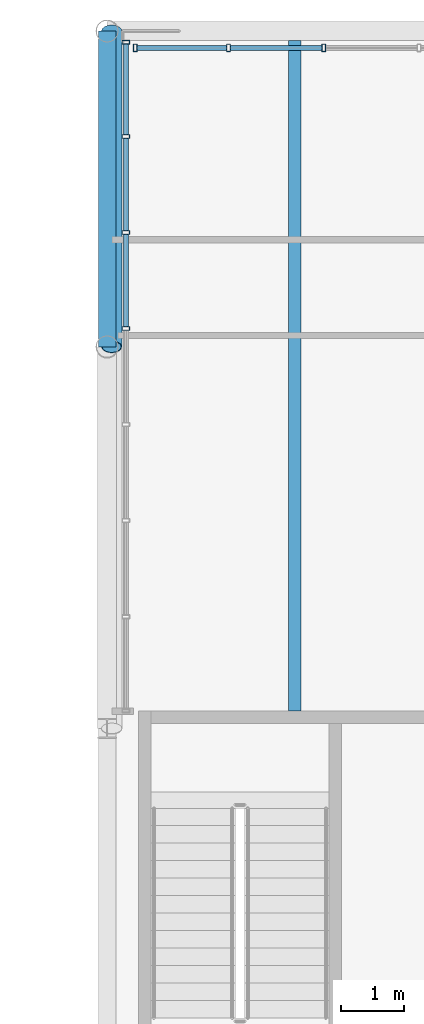
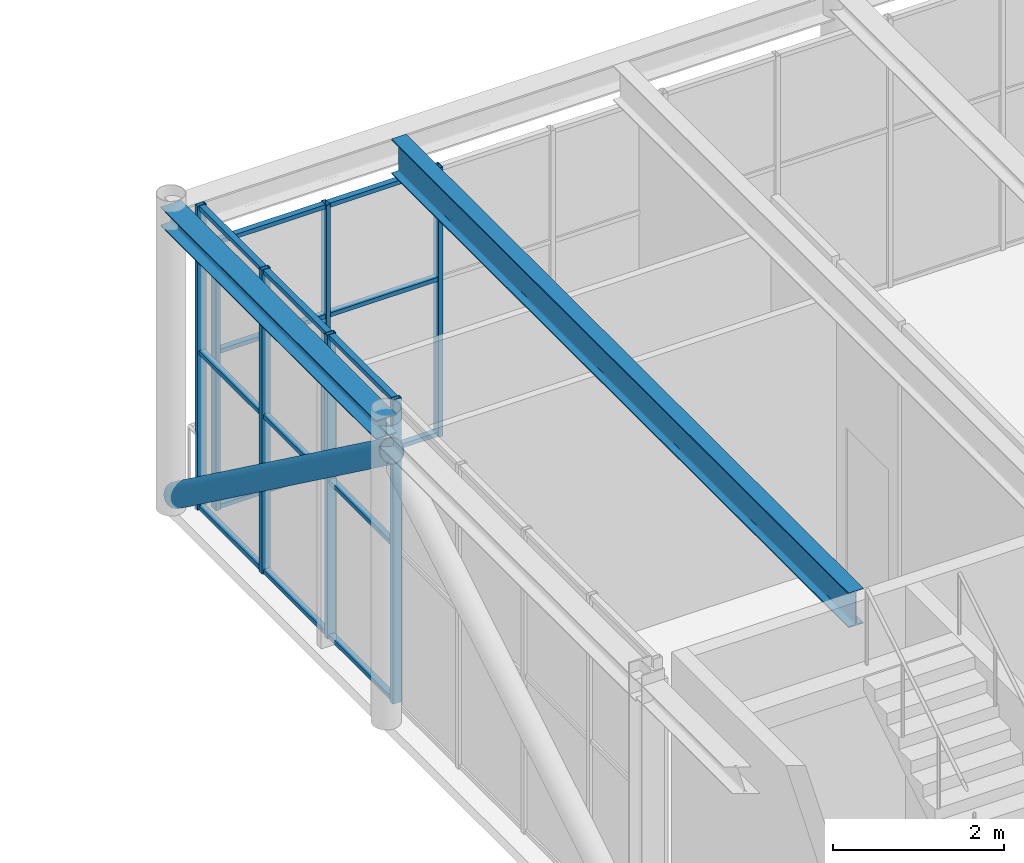
# One storey, part 31 of 111: 23 members, 2 beams, 2 elements without a shape of their own.
"""IFC4 building model written with IfcOpenShell, lengths in metres."""

from ifc_helpers import new_model, si_unit, direction, frame, origin, origin_2d, place, context, subcontext, project, spatial, hollow_rectangle, hollow_circle, i_section, extrude, material, layer, layer_set, material_profile, profile_set, type_object, element, aggregate, save


model = new_model("IFC4")

# Units and contexts
model_context = context("Model", 3, precision=1e-05, world=origin(), true_north=direction((0.0, 1.0)))
body_context = subcontext(model_context, "Body", "Model", "MODEL_VIEW")
ifc_project = project(units=[si_unit("LENGTHUNIT", "METRE"), si_unit("AREAUNIT", "SQUARE_METRE"), si_unit("VOLUMEUNIT", "CUBIC_METRE"), si_unit("PLANEANGLEUNIT", "RADIAN"), si_unit("MASSUNIT", "GRAM", prefix="KILO")], contexts=[model_context])

# Site, building, storey
site_placement = place(None, origin())
site = spatial("IfcSite", under=ifc_project, at=site_placement, CompositionType="ELEMENT")
building_placement = place(site_placement, origin())
building = spatial("IfcBuilding", under=site, at=building_placement, Name="Kallimachos Central Library", CompositionType="ELEMENT")
storey_placement = place(building_placement, frame((0.0, 0.0, 14.39990234375)))
storey = spatial("IfcBuildingStorey", under=building, at=storey_placement, Name="L03", CompositionType="ELEMENT", Elevation=14.39990234375)

# Member
ifc_material_1 = material(Name="Steel S355J2H", Category="steel")
ifc_material_profile_1 = material_profile(ifc_material_1, hollow_circle(Radius=0.161865234375, WallThickness=0.012451171875, at=origin_2d()), Name="CHS 323.9x12.5")
ifc_profile_set_1 = profile_set([ifc_material_profile_1], Name="Steel S355J2H")
member_type_1 = type_object("IfcMemberType", Name="CHS 323.9x12.5 brace", PredefinedType="BRACE", material=ifc_profile_set_1)
member_1_placement = place(storey_placement, frame((65.572998046875, 116.60009765625, 3.85009765625), z_axis=(0.0, 0.806651655217, -0.591027162774), x_axis=(-1.0, 0.0, 0.0)))
element("IfcMember", 1, at=member_1_placement, inside=storey, type_object=member_type_1, Name="Cantilever truss diagonal 65.5 L03.2", PredefinedType="BRACE", context=body_context, shape_type="SweptSolid", body=[
    extrude(hollow_circle(Radius=0.161865234375, WallThickness=0.012451171875, at=origin_2d()), origin(), (0.0, 0.0, 1.0), 6.26025390625),
])

# Curtain wall, members
ifc_material_2 = material(Name="Anodised aluminium and laminated glass", Category="aluminium")
ifc_layer = layer(ifc_material_2, 0.159912109375)
ifc_layer_set = layer_set([ifc_layer], Name="Glass box curtain wall")
curtain_wall_type = type_object("IfcCurtainWallType", Name="Glass box curtain wall", PredefinedType="NOTDEFINED", material=ifc_layer_set)
curtain_wall_1_placement = place(storey_placement, origin())
curtain_wall_1 = element("IfcCurtainWall", 2, at=curtain_wall_1_placement, inside=storey, type_object=curtain_wall_type, Name="Glass box curtain wall W L03", PredefinedType="NOTDEFINED")
ifc_material_3 = material(Name="Anodised aluminium", Category="aluminium")
ifc_material_profile_2 = material_profile(ifc_material_3, hollow_rectangle(XDim=0.06005859375, YDim=0.1201171875, WallThickness=0.00390625, at=origin_2d()), Name="ALU MULLION 60x120")
ifc_profile_set_2 = profile_set([ifc_material_profile_2], Name="Anodised aluminium")
member_type_2 = type_object("IfcMemberType", Name="Glass box mullion 60x120", PredefinedType="MULLION", material=ifc_profile_set_2)
member_2_placement = place(storey_placement, frame((65.800048828125, 116.892822265625, 0.0), z_axis=(0.0, 0.0, 1.0), x_axis=(0.0, 1.0, 0.0)))
member_2 = element("IfcMember", 3, at=member_2_placement, type_object=member_type_2, Name="CW24 mullion 5", PredefinedType="MULLION", context=body_context, shape_type="SweptSolid", body=[
    extrude(hollow_rectangle(XDim=0.06005859375, YDim=0.1201171875, WallThickness=0.00390625, at=origin_2d()), origin(), (0.0, 0.0, 1.0), 4.35009765625),
])
member_3_placement = place(storey_placement, frame((65.800048828125, 118.428466796875, 0.0), z_axis=(0.0, 0.0, 1.0), x_axis=(0.0, 1.0, 0.0)))
member_3 = element("IfcMember", 4, at=member_3_placement, type_object=member_type_2, Name="CW24 mullion 6", PredefinedType="MULLION", context=body_context, shape_type="SweptSolid", body=[
    extrude(hollow_rectangle(XDim=0.06005859375, YDim=0.1201171875, WallThickness=0.00390625, at=origin_2d()), origin(), (0.0, 0.0, 1.0), 4.35009765625),
])
member_4_placement = place(storey_placement, frame((65.800048828125, 119.96435546875, 0.0), z_axis=(0.0, 0.0, 1.0), x_axis=(0.0, 1.0, 0.0)))
member_4 = element("IfcMember", 5, at=member_4_placement, type_object=member_type_2, Name="CW24 mullion 7", PredefinedType="MULLION", context=body_context, shape_type="SweptSolid", body=[
    extrude(hollow_rectangle(XDim=0.06005859375, YDim=0.1201171875, WallThickness=0.00390625, at=origin_2d()), origin(), (0.0, 0.0, 1.0), 4.35009765625),
])
member_5_placement = place(storey_placement, frame((65.800048828125, 121.469970703125, 0.0), z_axis=(0.0, 0.0, 1.0), x_axis=(0.0, 1.0, 0.0)))
member_5 = element("IfcMember", 6, at=member_5_placement, type_object=member_type_2, Name="CW24 mullion 8", PredefinedType="MULLION", context=body_context, shape_type="SweptSolid", body=[
    extrude(hollow_rectangle(XDim=0.06005859375, YDim=0.1201171875, WallThickness=0.00390625, at=origin_2d()), origin(), (0.0, 0.0, 1.0), 4.35009765625),
])

curtain_wall_2_placement = place(storey_placement, origin())
curtain_wall_2 = element("IfcCurtainWall", 7, at=curtain_wall_2_placement, inside=storey, type_object=curtain_wall_type, Name="Glass box curtain wall N L03", PredefinedType="NOTDEFINED")
member_6_placement = place(storey_placement, frame((65.949951171875, 121.3798828125, 0.0), z_axis=(0.0, 0.0, 1.0), x_axis=(1.0, 0.0, 0.0)))
member_6 = element("IfcMember", 8, at=member_6_placement, type_object=member_type_2, Name="CW27 mullion 1", PredefinedType="MULLION", context=body_context, shape_type="SweptSolid", body=[
    extrude(hollow_rectangle(XDim=0.06005859375, YDim=0.1201171875, WallThickness=0.00390625, at=origin_2d()), origin(), (0.0, 0.0, 1.0), 3.85009765625),
])
member_7_placement = place(storey_placement, frame((67.44287109375, 121.3798828125, 0.0), z_axis=(0.0, 0.0, 1.0), x_axis=(1.0, 0.0, 0.0)))
member_7 = element("IfcMember", 9, at=member_7_placement, type_object=member_type_2, Name="CW27 mullion 2", PredefinedType="MULLION", context=body_context, shape_type="SweptSolid", body=[
    extrude(hollow_rectangle(XDim=0.06005859375, YDim=0.1201171875, WallThickness=0.00390625, at=origin_2d()), origin(), (0.0, 0.0, 1.0), 3.85009765625),
])
member_8_placement = place(storey_placement, frame((68.965576171875, 121.3798828125, 0.0), z_axis=(0.0, 0.0, 1.0), x_axis=(1.0, 0.0, 0.0)))
member_8 = element("IfcMember", 10, at=member_8_placement, type_object=member_type_2, Name="CW27 mullion 3", PredefinedType="MULLION", context=body_context, shape_type="SweptSolid", body=[
    extrude(hollow_rectangle(XDim=0.06005859375, YDim=0.1201171875, WallThickness=0.00390625, at=origin_2d()), origin(), (0.0, 0.0, 1.0), 3.85009765625),
])

# Member
ifc_material_4 = material(Name="Anodised aluminium", Category="aluminium")
ifc_material_profile_3 = material_profile(ifc_material_4, hollow_rectangle(XDim=0.06005859375, YDim=0.080078125, WallThickness=0.00390625, at=origin_2d()), Name="ALU TRANSOM 60x80")
ifc_profile_set_3 = profile_set([ifc_material_profile_3], Name="Anodised aluminium")
member_type_3 = type_object("IfcMemberType", Name="Glass box transom 60x80", PredefinedType="USERDEFINED", material=ifc_profile_set_3)
member_9_placement = place(storey_placement, frame((65.800048828125, 116.9228515625, 0.030029296875), z_axis=(0.0, 1.0, 0.0), x_axis=(0.0, 0.0, 1.0)))
member_9 = element("IfcMember", 11, at=member_9_placement, type_object=member_type_3, Name="CW24 transom 5.1", ObjectType="TRANSOM", PredefinedType="USERDEFINED", context=body_context, shape_type="SweptSolid", body=[
    extrude(hollow_rectangle(XDim=0.06005859375, YDim=0.080078125, WallThickness=0.00390625, at=origin_2d()), origin(), (0.0, 0.0, 1.0), 1.475830078125),
])

member_10_placement = place(storey_placement, frame((65.800048828125, 116.9228515625, 2.25), z_axis=(0.0, 1.0, 0.0), x_axis=(0.0, 0.0, 1.0)))
member_10 = element("IfcMember", 12, at=member_10_placement, type_object=member_type_3, Name="CW24 transom 5.2", ObjectType="TRANSOM", PredefinedType="USERDEFINED", context=body_context, shape_type="SweptSolid", body=[
    extrude(hollow_rectangle(XDim=0.06005859375, YDim=0.080078125, WallThickness=0.00390625, at=origin_2d()), origin(), (0.0, 0.0, 1.0), 1.475830078125),
])

member_11_placement = place(storey_placement, frame((65.800048828125, 116.9228515625, 4.320068359375), z_axis=(0.0, 1.0, 0.0), x_axis=(0.0, 0.0, 1.0)))
member_11 = element("IfcMember", 13, at=member_11_placement, type_object=member_type_3, Name="CW24 transom 5.3", ObjectType="TRANSOM", PredefinedType="USERDEFINED", context=body_context, shape_type="SweptSolid", body=[
    extrude(hollow_rectangle(XDim=0.06005859375, YDim=0.080078125, WallThickness=0.00390625, at=origin_2d()), origin(), (0.0, 0.0, 1.0), 1.475830078125),
])

member_12_placement = place(storey_placement, frame((65.800048828125, 118.45849609375, 0.030029296875), z_axis=(0.0, 1.0, 0.0), x_axis=(0.0, 0.0, 1.0)))
member_12 = element("IfcMember", 14, at=member_12_placement, type_object=member_type_3, Name="CW24 transom 6.1", ObjectType="TRANSOM", PredefinedType="USERDEFINED", context=body_context, shape_type="SweptSolid", body=[
    extrude(hollow_rectangle(XDim=0.06005859375, YDim=0.080078125, WallThickness=0.00390625, at=origin_2d()), origin(), (0.0, 0.0, 1.0), 1.475830078125),
])

member_13_placement = place(storey_placement, frame((65.800048828125, 118.45849609375, 2.25), z_axis=(0.0, 1.0, 0.0), x_axis=(0.0, 0.0, 1.0)))
member_13 = element("IfcMember", 15, at=member_13_placement, type_object=member_type_3, Name="CW24 transom 6.2", ObjectType="TRANSOM", PredefinedType="USERDEFINED", context=body_context, shape_type="SweptSolid", body=[
    extrude(hollow_rectangle(XDim=0.06005859375, YDim=0.080078125, WallThickness=0.00390625, at=origin_2d()), origin(), (0.0, 0.0, 1.0), 1.475830078125),
])

member_14_placement = place(storey_placement, frame((65.800048828125, 118.45849609375, 4.320068359375), z_axis=(0.0, 1.0, 0.0), x_axis=(0.0, 0.0, 1.0)))
member_14 = element("IfcMember", 16, at=member_14_placement, type_object=member_type_3, Name="CW24 transom 6.3", ObjectType="TRANSOM", PredefinedType="USERDEFINED", context=body_context, shape_type="SweptSolid", body=[
    extrude(hollow_rectangle(XDim=0.06005859375, YDim=0.080078125, WallThickness=0.00390625, at=origin_2d()), origin(), (0.0, 0.0, 1.0), 1.475830078125),
])

member_15_placement = place(storey_placement, frame((65.800048828125, 119.994384765625, 0.030029296875), z_axis=(0.0, 1.0, 0.0), x_axis=(0.0, 0.0, 1.0)))
member_15 = element("IfcMember", 17, at=member_15_placement, type_object=member_type_3, Name="CW24 transom 7.1", ObjectType="TRANSOM", PredefinedType="USERDEFINED", context=body_context, shape_type="SweptSolid", body=[
    extrude(hollow_rectangle(XDim=0.06005859375, YDim=0.080078125, WallThickness=0.00390625, at=origin_2d()), origin(), (0.0, 0.0, 1.0), 1.445556640625),
])

member_16_placement = place(storey_placement, frame((65.800048828125, 119.994384765625, 2.25), z_axis=(0.0, 1.0, 0.0), x_axis=(0.0, 0.0, 1.0)))
member_16 = element("IfcMember", 18, at=member_16_placement, type_object=member_type_3, Name="CW24 transom 7.2", ObjectType="TRANSOM", PredefinedType="USERDEFINED", context=body_context, shape_type="SweptSolid", body=[
    extrude(hollow_rectangle(XDim=0.06005859375, YDim=0.080078125, WallThickness=0.00390625, at=origin_2d()), origin(), (0.0, 0.0, 1.0), 1.445556640625),
])

member_17_placement = place(storey_placement, frame((65.800048828125, 119.994384765625, 4.320068359375), z_axis=(0.0, 1.0, 0.0), x_axis=(0.0, 0.0, 1.0)))
member_17 = element("IfcMember", 19, at=member_17_placement, type_object=member_type_3, Name="CW24 transom 7.3", ObjectType="TRANSOM", PredefinedType="USERDEFINED", context=body_context, shape_type="SweptSolid", body=[
    extrude(hollow_rectangle(XDim=0.06005859375, YDim=0.080078125, WallThickness=0.00390625, at=origin_2d()), origin(), (0.0, 0.0, 1.0), 1.445556640625),
])

aggregate(curtain_wall_1, [member_2, member_3, member_4, member_5, member_9, member_10, member_11, member_12, member_13, member_14, member_15, member_16, member_17])

member_18_placement = place(storey_placement, frame((65.97998046875, 121.3798828125, 0.030029296875), z_axis=(1.0, 0.0, 0.0), x_axis=(0.0, 0.0, 1.0)))
member_18 = element("IfcMember", 20, at=member_18_placement, type_object=member_type_3, Name="CW27 transom 1.1", ObjectType="TRANSOM", PredefinedType="USERDEFINED", context=body_context, shape_type="SweptSolid", body=[
    extrude(hollow_rectangle(XDim=0.06005859375, YDim=0.080078125, WallThickness=0.00390625, at=origin_2d()), origin(), (0.0, 0.0, 1.0), 1.432861328125),
])

member_19_placement = place(storey_placement, frame((65.97998046875, 121.3798828125, 2.25), z_axis=(1.0, 0.0, 0.0), x_axis=(0.0, 0.0, 1.0)))
member_19 = element("IfcMember", 21, at=member_19_placement, type_object=member_type_3, Name="CW27 transom 1.2", ObjectType="TRANSOM", PredefinedType="USERDEFINED", context=body_context, shape_type="SweptSolid", body=[
    extrude(hollow_rectangle(XDim=0.06005859375, YDim=0.080078125, WallThickness=0.00390625, at=origin_2d()), origin(), (0.0, 0.0, 1.0), 1.432861328125),
])

member_20_placement = place(storey_placement, frame((65.97998046875, 121.3798828125, 3.820068359375), z_axis=(1.0, 0.0, 0.0), x_axis=(0.0, 0.0, 1.0)))
member_20 = element("IfcMember", 22, at=member_20_placement, type_object=member_type_3, Name="CW27 transom 1.3", ObjectType="TRANSOM", PredefinedType="USERDEFINED", context=body_context, shape_type="SweptSolid", body=[
    extrude(hollow_rectangle(XDim=0.06005859375, YDim=0.080078125, WallThickness=0.00390625, at=origin_2d()), origin(), (0.0, 0.0, 1.0), 1.432861328125),
])

member_21_placement = place(storey_placement, frame((67.47265625, 121.3798828125, 0.030029296875), z_axis=(1.0, 0.0, 0.0), x_axis=(0.0, 0.0, 1.0)))
member_21 = element("IfcMember", 23, at=member_21_placement, type_object=member_type_3, Name="CW27 transom 2.1", ObjectType="TRANSOM", PredefinedType="USERDEFINED", context=body_context, shape_type="SweptSolid", body=[
    extrude(hollow_rectangle(XDim=0.06005859375, YDim=0.080078125, WallThickness=0.00390625, at=origin_2d()), origin(), (0.0, 0.0, 1.0), 1.462890625),
])

member_22_placement = place(storey_placement, frame((67.47265625, 121.3798828125, 2.25), z_axis=(1.0, 0.0, 0.0), x_axis=(0.0, 0.0, 1.0)))
member_22 = element("IfcMember", 24, at=member_22_placement, type_object=member_type_3, Name="CW27 transom 2.2", ObjectType="TRANSOM", PredefinedType="USERDEFINED", context=body_context, shape_type="SweptSolid", body=[
    extrude(hollow_rectangle(XDim=0.06005859375, YDim=0.080078125, WallThickness=0.00390625, at=origin_2d()), origin(), (0.0, 0.0, 1.0), 1.462890625),
])

member_23_placement = place(storey_placement, frame((67.47265625, 121.3798828125, 3.820068359375), z_axis=(1.0, 0.0, 0.0), x_axis=(0.0, 0.0, 1.0)))
member_23 = element("IfcMember", 25, at=member_23_placement, type_object=member_type_3, Name="CW27 transom 2.3", ObjectType="TRANSOM", PredefinedType="USERDEFINED", context=body_context, shape_type="SweptSolid", body=[
    extrude(hollow_rectangle(XDim=0.06005859375, YDim=0.080078125, WallThickness=0.00390625, at=origin_2d()), origin(), (0.0, 0.0, 1.0), 1.462890625),
])

aggregate(curtain_wall_2, [member_6, member_7, member_8, member_18, member_19, member_20, member_21, member_22, member_23])

# Beams
ifc_material_5 = material(Name="Steel S355J2", Category="steel")
ifc_material_profile_4 = material_profile(ifc_material_5, i_section(OverallWidth=0.280029296875, OverallDepth=0.27001953125, WebThickness=0.008056640625, FlangeThickness=0.012939453125, FilletRadius=0.02392578125, at=origin_2d()), Name="HEA 280")
ifc_profile_set_4 = profile_set([ifc_material_profile_4], Name="Steel S355J2")
beam_type_1 = type_object("IfcBeamType", Name="HEA 280 beam", PredefinedType="BEAM", material=ifc_profile_set_4)
beam_1_placement = place(storey_placement, frame((65.5, 116.60009765625, 4.215087890625), z_axis=(0.0, 1.0, 0.0), x_axis=(-1.0, 0.0, 0.0)))
element("IfcBeam", 26, at=beam_1_placement, inside=storey, type_object=beam_type_1, Name="V1-BEM-L03-024", PredefinedType="BEAM", context=body_context, shape_type="SweptSolid", body=[
    extrude(i_section(OverallWidth=0.280029296875, OverallDepth=0.27001953125, WebThickness=0.008056640625, FlangeThickness=0.012939453125, FilletRadius=0.02392578125, at=origin_2d()), origin(), (0.0, 0.0, 1.0), 5.0498046875),
])
ifc_material_6 = material(Name="Steel S355J2", Category="steel")
ifc_material_profile_5 = material_profile(ifc_material_6, i_section(OverallWidth=0.199951171875, OverallDepth=0.5, WebThickness=0.01025390625, FlangeThickness=0.01611328125, FilletRadius=0.02099609375, at=origin_2d()), Name="IPE 500")
ifc_profile_set_5 = profile_set([ifc_material_profile_5], Name="Steel S355J2")
beam_type_2 = type_object("IfcBeamType", Name="IPE 500 beam", PredefinedType="BEAM", material=ifc_profile_set_5)
beam_2_placement = place(storey_placement, frame((68.5, 110.780029296875, 4.10009765625), z_axis=(0.0, 1.0, 0.0), x_axis=(-1.0, 0.0, 0.0)))
element("IfcBeam", 27, at=beam_2_placement, inside=storey, type_object=beam_type_2, Name="V1-BEM-L03-050", PredefinedType="BEAM", context=body_context, shape_type="SweptSolid", body=[
    extrude(i_section(OverallWidth=0.199951171875, OverallDepth=0.5, WebThickness=0.01025390625, FlangeThickness=0.01611328125, FilletRadius=0.02099609375, at=origin_2d()), origin(), (0.0, 0.0, 1.0), 10.719970703125),
])

save(model, "model.ifc")
